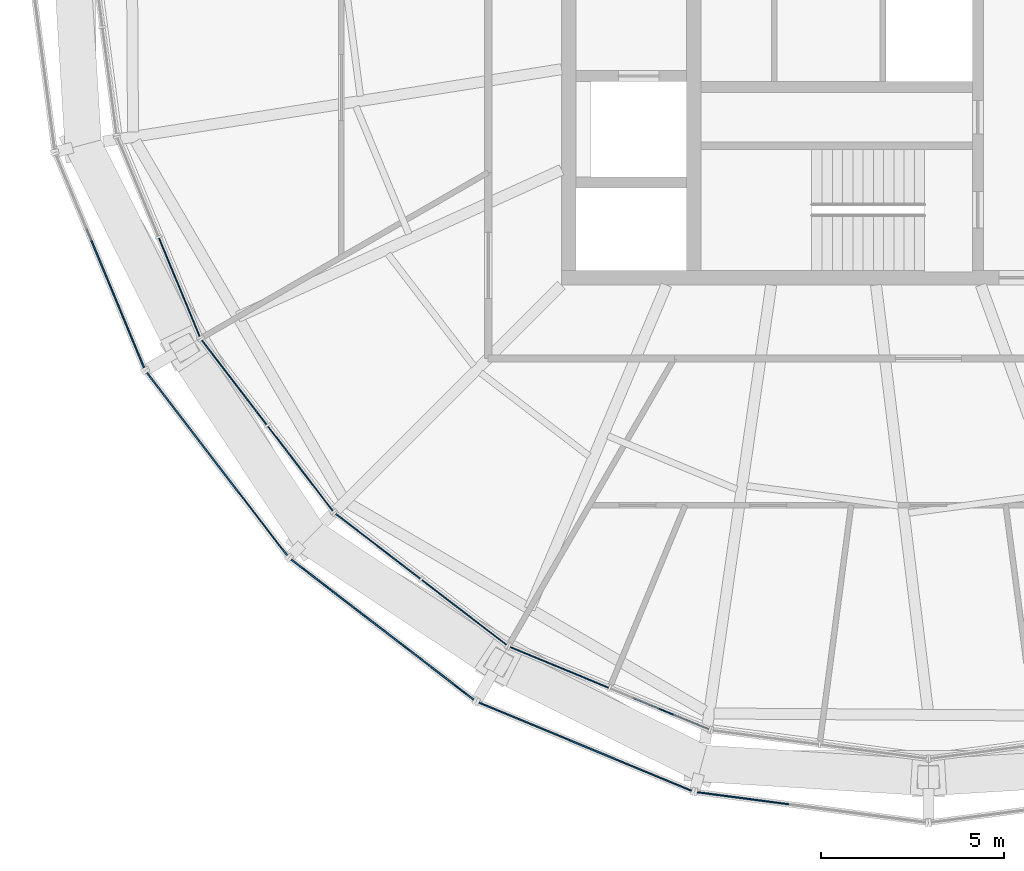
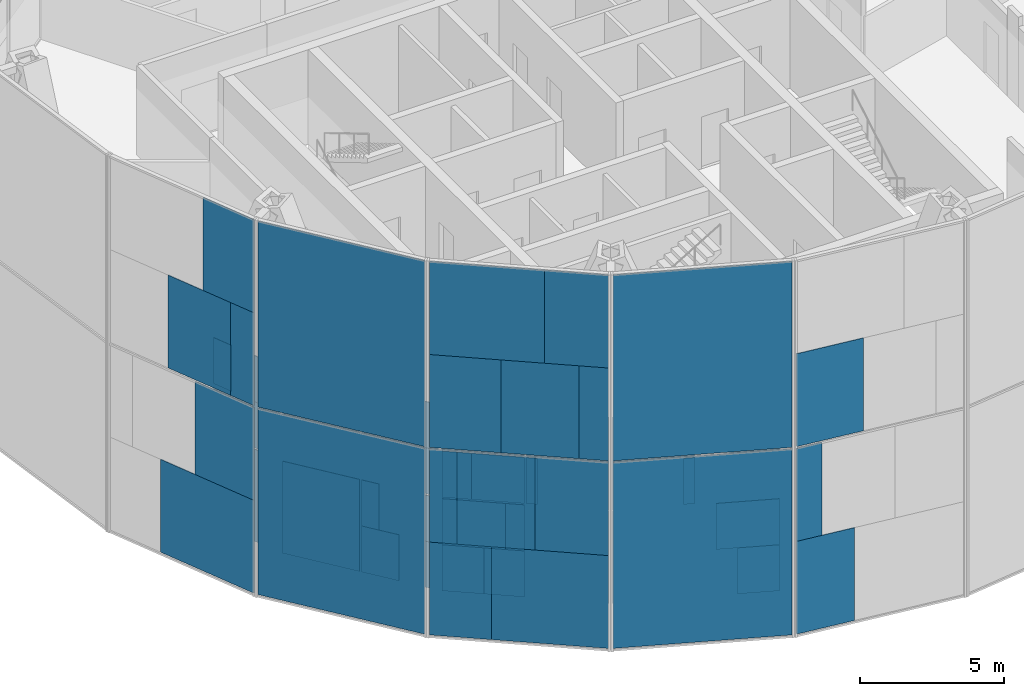
# One storey, part 10 of 23: 61 plates, 9 elements without a shape of their own.
"""IFC4 building model written with IfcOpenShell, lengths in metres."""

from ifc_helpers import new_model, si_unit, direction, frame, origin, origin_2d, place, context, subcontext, project, spatial, rectangle, extrude, material, layer, layer_set, type_object, element, aggregate, save


model = new_model("IFC4")

# Units and contexts
model_context = context("Model", 3, precision=1e-05, world=origin(), true_north=direction((0.0, 1.0)))
body_context = subcontext(model_context, "Body", "Model", "MODEL_VIEW")
ifc_project = project(units=[si_unit("LENGTHUNIT", "METRE"), si_unit("AREAUNIT", "SQUARE_METRE"), si_unit("VOLUMEUNIT", "CUBIC_METRE"), si_unit("PLANEANGLEUNIT", "RADIAN"), si_unit("MASSUNIT", "GRAM", prefix="KILO")], contexts=[model_context])

# Site, building, storey
site_placement = place(None, origin())
site = spatial("IfcSite", under=ifc_project, at=site_placement, CompositionType="ELEMENT")
building_placement = place(site_placement, origin())
building = spatial("IfcBuilding", under=site, at=building_placement, Name="Golbaran Civic Tower", CompositionType="ELEMENT")
storey_placement = place(building_placement, frame((0.0, 0.0, 232.0)))
storey = spatial("IfcBuildingStorey", under=building, at=storey_placement, Name="L56", CompositionType="ELEMENT", Elevation=232.0)

# Curtain wall, plates
ifc_material_1 = material(Name="Aluminium and glass", Category="aluminium")
curtain_wall_type_1 = type_object("IfcCurtainWallType", Name="INNER SKIN CURTAIN WALL EXECUTIVE", PredefinedType="NOTDEFINED", material=ifc_material_1)
curtain_wall_1_placement = place(storey_placement, origin())
curtain_wall_1 = element("IfcCurtainWall", 1, at=curtain_wall_1_placement, inside=storey, type_object=curtain_wall_type_1, Name="Inner skin L56 facet 14 CW2", ObjectType="INNER SKIN", PredefinedType="USERDEFINED")
ifc_material_2 = material(Name="Clear insulating glass", Category="glass")
ifc_layer_1 = layer(ifc_material_2, 0.031982421875, Name="Clear insulating glass")
ifc_layer_set_1 = layer_set([ifc_layer_1], Name="Clear insulating glass")
plate_type_1 = type_object("IfcPlateType", Name="INNER SKIN CURTAIN WALL EXECUTIVE GLAZED PANEL", PredefinedType="CURTAIN_PANEL", material=ifc_layer_set_1)
plate_1_placement = place(storey_placement, frame((-20.421142578125, -10.06103515625, 0.06005859375), z_axis=(0.0, 0.0, 1.0), x_axis=(0.382683432365, -0.923879532511, 0.0)))
plate_1 = element("IfcPlate", 2, at=plate_1_placement, type_object=plate_type_1, Name="CW2 panel 2.1", PredefinedType="CURTAIN_PANEL", context=body_context, shape_type="SweptSolid", body=[
    extrude(rectangle(XDim=2.900634765625, YDim=0.031982421875, at=origin_2d()), origin(), (0.0, 0.0, 1.0), 3.909912109375),
])
plate_2_placement = place(storey_placement, frame((-20.3447265625, -10.245849609375, 4.030029296875), z_axis=(0.0, 0.0, 1.0), x_axis=(0.382683432365, -0.923879532511, 0.0)))
plate_2 = element("IfcPlate", 3, at=plate_2_placement, type_object=plate_type_1, Name="CW2 panel 2.2 part 2", PredefinedType="CURTAIN_PANEL", context=body_context, shape_type="SweptSolid", body=[
    extrude(rectangle(XDim=2.500732421875, YDim=0.031982421875, at=origin_2d()), origin(), (0.0, 0.0, 1.0), 1.955078125),
])
plate_3_placement = place(storey_placement, frame((-20.267822265625, -10.431640625, 5.98486328125), z_axis=(0.0, 0.0, 1.0), x_axis=(0.382683432365, -0.923879532511, 0.0)))
plate_3 = element("IfcPlate", 4, at=plate_3_placement, type_object=plate_type_1, Name="CW2 panel 2.2 part 4", PredefinedType="CURTAIN_PANEL", context=body_context, shape_type="SweptSolid", body=[
    extrude(rectangle(XDim=2.0986328125, YDim=0.031982421875, at=origin_2d()), origin(), (0.0, 0.0, 1.0), 1.955078125),
])

curtain_wall_2_placement = place(storey_placement, origin())
curtain_wall_2 = element("IfcCurtainWall", 5, at=curtain_wall_2_placement, inside=storey, type_object=curtain_wall_type_1, Name="Inner skin L56 facet 15 CW2", ObjectType="INNER SKIN", PredefinedType="USERDEFINED")
plate_4_placement = place(storey_placement, frame((-18.923828125, -12.65478515625, 0.06005859375), z_axis=(0.0, 0.0, 1.0), x_axis=(0.608761429078, -0.793353340238, 0.0)))
plate_4 = element("IfcPlate", 6, at=plate_4_placement, type_object=plate_type_1, Name="CW2 panel 1.1", PredefinedType="CURTAIN_PANEL", context=body_context, shape_type="SweptSolid", body=[
    extrude(rectangle(XDim=2.900634765625, YDim=0.031982421875, at=origin_2d()), origin(), (0.0, 0.0, 1.0), 3.909912109375),
])
plate_5_placement = place(storey_placement, frame((-19.046142578125, -12.495361328125, 4.030029296875), z_axis=(0.0, 0.0, 1.0), x_axis=(0.608761429078, -0.793353340238, 0.0)))
plate_5 = element("IfcPlate", 7, at=plate_5_placement, type_object=plate_type_1, Name="CW2 panel 1.2 part 1", PredefinedType="CURTAIN_PANEL", context=body_context, shape_type="SweptSolid", body=[
    extrude(rectangle(XDim=2.4990234375, YDim=0.031982421875, at=origin_2d()), origin(), (0.0, 0.0, 1.0), 1.955078125),
])
plate_6_placement = place(storey_placement, frame((-19.168212890625, -12.33642578125, 5.98486328125), z_axis=(0.0, 0.0, 1.0), x_axis=(0.608761429078, -0.793353340238, 0.0)))
plate_6 = element("IfcPlate", 8, at=plate_6_placement, type_object=plate_type_1, Name="CW2 panel 1.2 part 3", PredefinedType="CURTAIN_PANEL", context=body_context, shape_type="SweptSolid", body=[
    extrude(rectangle(XDim=2.097900390625, YDim=0.031982421875, at=origin_2d()), origin(), (0.0, 0.0, 1.0), 1.955078125),
])
plate_7_placement = place(storey_placement, frame((-17.5712890625, -14.41748046875, 0.06005859375), z_axis=(0.0, 0.0, 1.0), x_axis=(0.608761429078, -0.793353340238, 0.0)))
plate_7 = element("IfcPlate", 9, at=plate_7_placement, type_object=plate_type_1, Name="CW2 panel 2.1 part 1", PredefinedType="CURTAIN_PANEL", context=body_context, shape_type="SweptSolid", body=[
    extrude(rectangle(XDim=1.423095703125, YDim=0.031982421875, at=origin_2d()), origin(), (0.0, 0.0, 1.0), 1.955078125),
])
plate_8_placement = place(storey_placement, frame((-17.80078125, -14.118408203125, 2.014892578125), z_axis=(0.0, 0.0, 1.0), x_axis=(0.608761429078, -0.793353340238, 0.0)))
plate_8 = element("IfcPlate", 10, at=plate_8_placement, type_object=plate_type_1, Name="CW2 panel 2.1 part 3", PredefinedType="CURTAIN_PANEL", context=body_context, shape_type="SweptSolid", body=[
    extrude(rectangle(XDim=0.6689453125, YDim=0.031982421875, at=origin_2d()), origin(), (0.0, 0.0, 1.0), 1.955078125),
])
plate_9_placement = place(storey_placement, frame((-16.5537109375, -15.743408203125, 4.030029296875), z_axis=(0.0, 0.0, 1.0), x_axis=(0.608761429078, -0.793353340238, 0.0)))
plate_9 = element("IfcPlate", 11, at=plate_9_placement, type_object=plate_type_1, Name="CW2 panel 2.2 part 2", PredefinedType="CURTAIN_PANEL", context=body_context, shape_type="SweptSolid", body=[
    extrude(rectangle(XDim=1.03564453125, YDim=0.031982421875, at=origin_2d()), origin(), (0.0, 0.0, 1.0), 1.955078125),
])
plate_10_placement = place(storey_placement, frame((-16.783203125, -15.4443359375, 5.98486328125), z_axis=(0.0, 0.0, 1.0), x_axis=(0.608761429078, -0.793353340238, 0.0)))
plate_10 = element("IfcPlate", 12, at=plate_10_placement, type_object=plate_type_1, Name="CW2 panel 2.2 part 4", PredefinedType="CURTAIN_PANEL", context=body_context, shape_type="SweptSolid", body=[
    extrude(rectangle(XDim=1.789794921875, YDim=0.031982421875, at=origin_2d()), origin(), (0.0, 0.0, 1.0), 1.955078125),
])

curtain_wall_3_placement = place(storey_placement, origin())
curtain_wall_3 = element("IfcCurtainWall", 13, at=curtain_wall_3_placement, inside=storey, type_object=curtain_wall_type_1, Name="Inner skin L56 facet 16 CW2", ObjectType="INNER SKIN", PredefinedType="USERDEFINED")
plate_11_placement = place(storey_placement, frame((-14.41748046875, -17.5712890625, 0.06005859375), z_axis=(0.0, 0.0, 1.0), x_axis=(0.793353340238, -0.608761429078, 0.0)))
plate_11 = element("IfcPlate", 14, at=plate_11_placement, type_object=plate_type_1, Name="CW2 panel 1.1 part 2", PredefinedType="CURTAIN_PANEL", context=body_context, shape_type="SweptSolid", body=[
    extrude(rectangle(XDim=1.4228515625, YDim=0.031982421875, at=origin_2d()), origin(), (0.0, 0.0, 1.0), 1.955078125),
])
plate_12_placement = place(storey_placement, frame((-14.118408203125, -17.80078125, 2.014892578125), z_axis=(0.0, 0.0, 1.0), x_axis=(0.793353340238, -0.608761429078, 0.0)))
plate_12 = element("IfcPlate", 15, at=plate_12_placement, type_object=plate_type_1, Name="CW2 panel 1.1 part 4", PredefinedType="CURTAIN_PANEL", context=body_context, shape_type="SweptSolid", body=[
    extrude(rectangle(XDim=0.668701171875, YDim=0.031982421875, at=origin_2d()), origin(), (0.0, 0.0, 1.0), 1.955078125),
])
plate_13_placement = place(storey_placement, frame((-15.743896484375, -16.553466796875, 4.030029296875), z_axis=(0.0, 0.0, 1.0), x_axis=(0.793353340238, -0.608761429078, 0.0)))
plate_13 = element("IfcPlate", 16, at=plate_13_placement, type_object=plate_type_1, Name="CW2 panel 1.2 part 1", PredefinedType="CURTAIN_PANEL", context=body_context, shape_type="SweptSolid", body=[
    extrude(rectangle(XDim=1.034912109375, YDim=0.031982421875, at=origin_2d()), origin(), (0.0, 0.0, 1.0), 1.955078125),
])
plate_14_placement = place(storey_placement, frame((-15.444580078125, -16.782958984375, 5.98486328125), z_axis=(0.0, 0.0, 1.0), x_axis=(0.793353340238, -0.608761429078, 0.0)))
plate_14 = element("IfcPlate", 17, at=plate_14_placement, type_object=plate_type_1, Name="CW2 panel 1.2 part 3", PredefinedType="CURTAIN_PANEL", context=body_context, shape_type="SweptSolid", body=[
    extrude(rectangle(XDim=1.7890625, YDim=0.031982421875, at=origin_2d()), origin(), (0.0, 0.0, 1.0), 1.955078125),
])
plate_15_placement = place(storey_placement, frame((-12.65478515625, -18.923828125, 0.06005859375), z_axis=(0.0, 0.0, 1.0), x_axis=(0.793353340238, -0.608761429078, 0.0)))
plate_15 = element("IfcPlate", 18, at=plate_15_placement, type_object=plate_type_1, Name="CW2 panel 2.1", PredefinedType="CURTAIN_PANEL", context=body_context, shape_type="SweptSolid", body=[
    extrude(rectangle(XDim=2.900634765625, YDim=0.031982421875, at=origin_2d()), origin(), (0.0, 0.0, 1.0), 3.909912109375),
])
plate_16_placement = place(storey_placement, frame((-12.49609375, -19.045654296875, 4.030029296875), z_axis=(0.0, 0.0, 1.0), x_axis=(0.793353340238, -0.608761429078, 0.0)))
plate_16 = element("IfcPlate", 19, at=plate_16_placement, type_object=plate_type_1, Name="CW2 panel 2.2 part 2", PredefinedType="CURTAIN_PANEL", context=body_context, shape_type="SweptSolid", body=[
    extrude(rectangle(XDim=2.500732421875, YDim=0.031982421875, at=origin_2d()), origin(), (0.0, 0.0, 1.0), 1.955078125),
])
plate_17_placement = place(storey_placement, frame((-12.336669921875, -19.16796875, 5.98486328125), z_axis=(0.0, 0.0, 1.0), x_axis=(0.793353340238, -0.608761429078, 0.0)))
plate_17 = element("IfcPlate", 20, at=plate_17_placement, type_object=plate_type_1, Name="CW2 panel 2.2 part 4", PredefinedType="CURTAIN_PANEL", context=body_context, shape_type="SweptSolid", body=[
    extrude(rectangle(XDim=2.0986328125, YDim=0.031982421875, at=origin_2d()), origin(), (0.0, 0.0, 1.0), 1.955078125),
])

curtain_wall_4_placement = place(storey_placement, origin())
curtain_wall_4 = element("IfcCurtainWall", 21, at=curtain_wall_4_placement, inside=storey, type_object=curtain_wall_type_1, Name="Inner skin L56 facet 17 CW2", ObjectType="INNER SKIN", PredefinedType="USERDEFINED")
plate_18_placement = place(storey_placement, frame((-10.06103515625, -20.421142578125, 0.06005859375), z_axis=(0.0, 0.0, 1.0), x_axis=(0.923879532511, -0.382683432365, 0.0)))
plate_18 = element("IfcPlate", 22, at=plate_18_placement, type_object=plate_type_1, Name="CW2 panel 1.1", PredefinedType="CURTAIN_PANEL", context=body_context, shape_type="SweptSolid", body=[
    extrude(rectangle(XDim=2.900634765625, YDim=0.031982421875, at=origin_2d()), origin(), (0.0, 0.0, 1.0), 3.909912109375),
])
plate_19_placement = place(storey_placement, frame((-10.24658203125, -20.344482421875, 4.030029296875), z_axis=(0.0, 0.0, 1.0), x_axis=(0.923879532511, -0.382683432365, 0.0)))
plate_19 = element("IfcPlate", 23, at=plate_19_placement, type_object=plate_type_1, Name="CW2 panel 1.2 part 1", PredefinedType="CURTAIN_PANEL", context=body_context, shape_type="SweptSolid", body=[
    extrude(rectangle(XDim=2.4990234375, YDim=0.031982421875, at=origin_2d()), origin(), (0.0, 0.0, 1.0), 1.955078125),
])
plate_20_placement = place(storey_placement, frame((-10.431884765625, -20.267578125, 5.98486328125), z_axis=(0.0, 0.0, 1.0), x_axis=(0.923879532511, -0.382683432365, 0.0)))
plate_20 = element("IfcPlate", 24, at=plate_20_placement, type_object=plate_type_1, Name="CW2 panel 1.2 part 3", PredefinedType="CURTAIN_PANEL", context=body_context, shape_type="SweptSolid", body=[
    extrude(rectangle(XDim=2.097900390625, YDim=0.031982421875, at=origin_2d()), origin(), (0.0, 0.0, 1.0), 1.955078125),
])
plate_21_placement = place(storey_placement, frame((-6.8125, -21.766845703125, 5.98486328125), z_axis=(0.0, 0.0, 1.0), x_axis=(0.923879532511, -0.382683432365, 0.0)))
plate_21 = element("IfcPlate", 25, at=plate_21_placement, type_object=plate_type_1, Name="CW2 panel 2.2 part 4", PredefinedType="CURTAIN_PANEL", context=body_context, shape_type="SweptSolid", body=[
    extrude(rectangle(XDim=1.789794921875, YDim=0.031982421875, at=origin_2d()), origin(), (0.0, 0.0, 1.0), 1.955078125),
])

# Plate
ifc_material_3 = material(Name="Aluminium faced opaque infill panel", Category="aluminium")
ifc_layer_2 = layer(ifc_material_3, 0.031982421875, Name="Aluminium faced opaque infill panel")
ifc_layer_set_2 = layer_set([ifc_layer_2], Name="Aluminium faced opaque infill panel")
plate_type_2 = type_object("IfcPlateType", Name="INNER SKIN CURTAIN WALL EXECUTIVE OPAQUE INFILL PANEL", PredefinedType="CURTAIN_PANEL", material=ifc_layer_set_2)
plate_22_placement = place(storey_placement, frame((-20.899658203125, -8.906005859375, 4.030029296875), z_axis=(0.0, 0.0, 1.0), x_axis=(0.382683432365, -0.923879532511, 0.0)))
plate_22 = element("IfcPlate", 26, at=plate_22_placement, type_object=plate_type_2, Name="CW2 infill panel 2.2 part 1", PredefinedType="CURTAIN_PANEL", context=body_context, shape_type="SweptSolid", body=[
    extrude(rectangle(XDim=0.39990234375, YDim=0.031982421875, at=origin_2d()), origin(), (0.0, 0.0, 1.0), 1.955078125),
])

plate_23_placement = place(storey_placement, frame((-20.82275390625, -9.091552734375, 5.98486328125), z_axis=(0.0, 0.0, 1.0), x_axis=(0.382683432365, -0.923879532511, 0.0)))
plate_23 = element("IfcPlate", 27, at=plate_23_placement, type_object=plate_type_2, Name="CW2 infill panel 2.2 part 3", PredefinedType="CURTAIN_PANEL", context=body_context, shape_type="SweptSolid", body=[
    extrude(rectangle(XDim=0.802001953125, YDim=0.031982421875, at=origin_2d()), origin(), (0.0, 0.0, 1.0), 1.955078125),
])

aggregate(curtain_wall_1, [plate_1, plate_22, plate_2, plate_23, plate_3])

plate_24_placement = place(storey_placement, frame((-18.1630859375, -13.64599609375, 4.030029296875), z_axis=(0.0, 0.0, 1.0), x_axis=(0.608761429078, -0.793353340238, 0.0)))
plate_24 = element("IfcPlate", 28, at=plate_24_placement, type_object=plate_type_2, Name="CW2 infill panel 1.2 part 2", PredefinedType="CURTAIN_PANEL", context=body_context, shape_type="SweptSolid", body=[
    extrude(rectangle(XDim=0.40185546875, YDim=0.031982421875, at=origin_2d()), origin(), (0.0, 0.0, 1.0), 1.955078125),
])

plate_25_placement = place(storey_placement, frame((-18.28515625, -13.487060546875, 5.98486328125), z_axis=(0.0, 0.0, 1.0), x_axis=(0.608761429078, -0.793353340238, 0.0)))
plate_25 = element("IfcPlate", 29, at=plate_25_placement, type_object=plate_type_2, Name="CW2 infill panel 1.2 part 4", PredefinedType="CURTAIN_PANEL", context=body_context, shape_type="SweptSolid", body=[
    extrude(rectangle(XDim=0.802734375, YDim=0.031982421875, at=origin_2d()), origin(), (0.0, 0.0, 1.0), 1.955078125),
])

plate_26_placement = place(storey_placement, frame((-16.688232421875, -15.568115234375, 0.06005859375), z_axis=(0.0, 0.0, 1.0), x_axis=(0.608761429078, -0.793353340238, 0.0)))
plate_26 = element("IfcPlate", 30, at=plate_26_placement, type_object=plate_type_2, Name="CW2 infill panel 2.1 part 2", PredefinedType="CURTAIN_PANEL", context=body_context, shape_type="SweptSolid", body=[
    extrude(rectangle(XDim=1.477783203125, YDim=0.031982421875, at=origin_2d()), origin(), (0.0, 0.0, 1.0), 1.955078125),
])

plate_27_placement = place(storey_placement, frame((-16.917724609375, -15.26904296875, 2.014892578125), z_axis=(0.0, 0.0, 1.0), x_axis=(0.608761429078, -0.793353340238, 0.0)))
plate_27 = element("IfcPlate", 31, at=plate_27_placement, type_object=plate_type_2, Name="CW2 infill panel 2.1 part 4", PredefinedType="CURTAIN_PANEL", context=body_context, shape_type="SweptSolid", body=[
    extrude(rectangle(XDim=2.231689453125, YDim=0.031982421875, at=origin_2d()), origin(), (0.0, 0.0, 1.0), 1.955078125),
])

plate_28_placement = place(storey_placement, frame((-17.436767578125, -14.5927734375, 4.030029296875), z_axis=(0.0, 0.0, 1.0), x_axis=(0.608761429078, -0.793353340238, 0.0)))
plate_28 = element("IfcPlate", 32, at=plate_28_placement, type_object=plate_type_2, Name="CW2 infill panel 2.2 part 1", PredefinedType="CURTAIN_PANEL", context=body_context, shape_type="SweptSolid", body=[
    extrude(rectangle(XDim=1.864990234375, YDim=0.031982421875, at=origin_2d()), origin(), (0.0, 0.0, 1.0), 1.955078125),
])

plate_29_placement = place(storey_placement, frame((-17.666259765625, -14.293701171875, 5.98486328125), z_axis=(0.0, 0.0, 1.0), x_axis=(0.608761429078, -0.793353340238, 0.0)))
plate_29 = element("IfcPlate", 33, at=plate_29_placement, type_object=plate_type_2, Name="CW2 infill panel 2.2 part 3", PredefinedType="CURTAIN_PANEL", context=body_context, shape_type="SweptSolid", body=[
    extrude(rectangle(XDim=1.111083984375, YDim=0.031982421875, at=origin_2d()), origin(), (0.0, 0.0, 1.0), 1.955078125),
])

aggregate(curtain_wall_2, [plate_4, plate_5, plate_24, plate_6, plate_25, plate_7, plate_26, plate_8, plate_27, plate_28, plate_9, plate_29, plate_10])

plate_30_placement = place(storey_placement, frame((-15.568115234375, -16.688232421875, 0.06005859375), z_axis=(0.0, 0.0, 1.0), x_axis=(0.793353340238, -0.608761429078, 0.0)))
plate_30 = element("IfcPlate", 34, at=plate_30_placement, type_object=plate_type_2, Name="CW2 infill panel 1.1 part 1", PredefinedType="CURTAIN_PANEL", context=body_context, shape_type="SweptSolid", body=[
    extrude(rectangle(XDim=1.47802734375, YDim=0.031982421875, at=origin_2d()), origin(), (0.0, 0.0, 1.0), 1.955078125),
])

plate_31_placement = place(storey_placement, frame((-15.26904296875, -16.917724609375, 2.014892578125), z_axis=(0.0, 0.0, 1.0), x_axis=(0.793353340238, -0.608761429078, 0.0)))
plate_31 = element("IfcPlate", 35, at=plate_31_placement, type_object=plate_type_2, Name="CW2 infill panel 1.1 part 3", PredefinedType="CURTAIN_PANEL", context=body_context, shape_type="SweptSolid", body=[
    extrude(rectangle(XDim=2.23193359375, YDim=0.031982421875, at=origin_2d()), origin(), (0.0, 0.0, 1.0), 1.955078125),
])

plate_32_placement = place(storey_placement, frame((-14.593017578125, -17.4365234375, 4.030029296875), z_axis=(0.0, 0.0, 1.0), x_axis=(0.793353340238, -0.608761429078, 0.0)))
plate_32 = element("IfcPlate", 36, at=plate_32_placement, type_object=plate_type_2, Name="CW2 infill panel 1.2 part 2", PredefinedType="CURTAIN_PANEL", context=body_context, shape_type="SweptSolid", body=[
    extrude(rectangle(XDim=1.86572265625, YDim=0.031982421875, at=origin_2d()), origin(), (0.0, 0.0, 1.0), 1.955078125),
])

plate_33_placement = place(storey_placement, frame((-14.2939453125, -17.666015625, 5.98486328125), z_axis=(0.0, 0.0, 1.0), x_axis=(0.793353340238, -0.608761429078, 0.0)))
plate_33 = element("IfcPlate", 37, at=plate_33_placement, type_object=plate_type_2, Name="CW2 infill panel 1.2 part 4", PredefinedType="CURTAIN_PANEL", context=body_context, shape_type="SweptSolid", body=[
    extrude(rectangle(XDim=1.11181640625, YDim=0.031982421875, at=origin_2d()), origin(), (0.0, 0.0, 1.0), 1.955078125),
])

plate_34_placement = place(storey_placement, frame((-13.646728515625, -18.16259765625, 4.030029296875), z_axis=(0.0, 0.0, 1.0), x_axis=(0.793353340238, -0.608761429078, 0.0)))
plate_34 = element("IfcPlate", 38, at=plate_34_placement, type_object=plate_type_2, Name="CW2 infill panel 2.2 part 1", PredefinedType="CURTAIN_PANEL", context=body_context, shape_type="SweptSolid", body=[
    extrude(rectangle(XDim=0.39990234375, YDim=0.031982421875, at=origin_2d()), origin(), (0.0, 0.0, 1.0), 1.955078125),
])

plate_35_placement = place(storey_placement, frame((-13.4873046875, -18.284912109375, 5.98486328125), z_axis=(0.0, 0.0, 1.0), x_axis=(0.793353340238, -0.608761429078, 0.0)))
plate_35 = element("IfcPlate", 39, at=plate_35_placement, type_object=plate_type_2, Name="CW2 infill panel 2.2 part 3", PredefinedType="CURTAIN_PANEL", context=body_context, shape_type="SweptSolid", body=[
    extrude(rectangle(XDim=0.802001953125, YDim=0.031982421875, at=origin_2d()), origin(), (0.0, 0.0, 1.0), 1.955078125),
])

aggregate(curtain_wall_3, [plate_30, plate_11, plate_31, plate_12, plate_13, plate_32, plate_14, plate_33, plate_15, plate_34, plate_16, plate_35, plate_17])

plate_36_placement = place(storey_placement, frame((-8.90673828125, -20.8994140625, 4.030029296875), z_axis=(0.0, 0.0, 1.0), x_axis=(0.923879532511, -0.382683432365, 0.0)))
plate_36 = element("IfcPlate", 40, at=plate_36_placement, type_object=plate_type_2, Name="CW2 infill panel 1.2 part 2", PredefinedType="CURTAIN_PANEL", context=body_context, shape_type="SweptSolid", body=[
    extrude(rectangle(XDim=0.40185546875, YDim=0.031982421875, at=origin_2d()), origin(), (0.0, 0.0, 1.0), 1.955078125),
])

plate_37_placement = place(storey_placement, frame((-9.092041015625, -20.82275390625, 5.98486328125), z_axis=(0.0, 0.0, 1.0), x_axis=(0.923879532511, -0.382683432365, 0.0)))
plate_37 = element("IfcPlate", 41, at=plate_37_placement, type_object=plate_type_2, Name="CW2 infill panel 1.2 part 4", PredefinedType="CURTAIN_PANEL", context=body_context, shape_type="SweptSolid", body=[
    extrude(rectangle(XDim=0.802734375, YDim=0.031982421875, at=origin_2d()), origin(), (0.0, 0.0, 1.0), 1.955078125),
])

plate_38_placement = place(storey_placement, frame((-6.66845703125, -21.82666015625, 0.06005859375), z_axis=(0.0, 0.0, 1.0), x_axis=(0.923879532511, -0.382683432365, 0.0)))
plate_38 = element("IfcPlate", 42, at=plate_38_placement, type_object=plate_type_2, Name="CW2 infill panel 2.1 part 2", PredefinedType="CURTAIN_PANEL", context=body_context, shape_type="SweptSolid", body=[
    extrude(rectangle(XDim=1.477783203125, YDim=0.031982421875, at=origin_2d()), origin(), (0.0, 0.0, 1.0), 1.955078125),
])

plate_39_placement = place(storey_placement, frame((-7.0166015625, -21.682373046875, 2.014892578125), z_axis=(0.0, 0.0, 1.0), x_axis=(0.923879532511, -0.382683432365, 0.0)))
plate_39 = element("IfcPlate", 43, at=plate_39_placement, type_object=plate_type_2, Name="CW2 infill panel 2.1 part 4", PredefinedType="CURTAIN_PANEL", context=body_context, shape_type="SweptSolid", body=[
    extrude(rectangle(XDim=2.231689453125, YDim=0.031982421875, at=origin_2d()), origin(), (0.0, 0.0, 1.0), 1.955078125),
])

aggregate(curtain_wall_4, [plate_18, plate_19, plate_36, plate_20, plate_37, plate_38, plate_39, plate_21])

# Curtain wall, plates
curtain_wall_type_2 = type_object("IfcCurtainWallType", Name="OUTER SKIN TERRACOTTA SCREEN", PredefinedType="NOTDEFINED", material=ifc_material_1)
curtain_wall_5_placement = place(storey_placement, origin())
curtain_wall_5 = element("IfcCurtainWall", 44, at=curtain_wall_5_placement, inside=storey, type_object=curtain_wall_type_2, Name="Outer skin L56 facet 14 CW3", ObjectType="OUTER SKIN", PredefinedType="USERDEFINED")
ifc_material_4 = material(Name="Clear laminated glass", Category="glass")
ifc_layer_3 = layer(ifc_material_4, 0.0400390625, Name="Clear laminated glass")
ifc_layer_set_3 = layer_set([ifc_layer_3], Name="Clear laminated glass")
plate_type_3 = type_object("IfcPlateType", Name="OUTER SKIN CLEAR GLASS PANEL", PredefinedType="CURTAIN_PANEL", material=ifc_layer_set_3)
plate_40_placement = place(storey_placement, frame((-22.165283203125, -10.36376953125, -0.6298828125), z_axis=(0.0, 0.0, 1.0), x_axis=(0.382683432381, -0.923879532505, 0.0)))
plate_40 = element("IfcPlate", 45, at=plate_40_placement, type_object=plate_type_3, Name="CW3 panel 1.1 part 2", PredefinedType="CURTAIN_PANEL", context=body_context, shape_type="SweptSolid", body=[
    extrude(rectangle(XDim=4.09130859375, YDim=0.0400390625, at=origin_2d()), origin(), (0.0, 0.0, 1.0), 3.93994140625),
])
plate_41_placement = place(storey_placement, frame((-21.874755859375, -11.0654296875, 3.31005859375), z_axis=(0.0, 0.0, 1.0), x_axis=(0.382683432381, -0.923879532505, 0.0)))
plate_41 = element("IfcPlate", 46, at=plate_41_placement, type_object=plate_type_3, Name="CW3 panel 1.1 part 5", PredefinedType="CURTAIN_PANEL", context=body_context, shape_type="SweptSolid", body=[
    extrude(rectangle(XDim=2.572265625, YDim=0.0400390625, at=origin_2d()), origin(), (0.0, 0.0, 1.0), 3.93994140625),
])
plate_42_placement = place(storey_placement, frame((-21.577880859375, -11.78173828125, 7.330078125), z_axis=(0.0, 0.0, 1.0), x_axis=(0.382683432381, -0.923879532505, 0.0)))
plate_42 = element("IfcPlate", 47, at=plate_42_placement, type_object=plate_type_3, Name="CW3 panel 1.2 part 3", PredefinedType="CURTAIN_PANEL", context=body_context, shape_type="SweptSolid", body=[
    extrude(rectangle(XDim=1.021240234375, YDim=0.0400390625, at=origin_2d()), origin(), (0.0, 0.0, 1.0), 3.93994140625),
])

curtain_wall_6_placement = place(storey_placement, origin())
curtain_wall_6 = element("IfcCurtainWall", 48, at=curtain_wall_6_placement, inside=storey, type_object=curtain_wall_type_2, Name="Outer skin L56 facet 16 CW3", ObjectType="OUTER SKIN", PredefinedType="USERDEFINED")
plate_43_placement = place(storey_placement, frame((-14.013916015625, -20.057861328125, -0.6298828125), z_axis=(0.0, 0.0, 1.0), x_axis=(0.793353340291, -0.608761429009, 0.0)))
plate_43 = element("IfcPlate", 49, at=plate_43_placement, type_object=plate_type_3, Name="CW3 panel 1.1 part 2", PredefinedType="CURTAIN_PANEL", context=body_context, shape_type="SweptSolid", body=[
    extrude(rectangle(XDim=4.09130859375, YDim=0.0400390625, at=origin_2d()), origin(), (0.0, 0.0, 1.0), 3.93994140625),
])
plate_44_placement = place(storey_placement, frame((-16.987548828125, -17.776123046875, 3.31005859375), z_axis=(0.0, 0.0, 1.0), x_axis=(0.793353340291, -0.608761429009, 0.0)))
plate_44 = element("IfcPlate", 50, at=plate_44_placement, type_object=plate_type_3, Name="CW3 panel 1.1 part 3", PredefinedType="CURTAIN_PANEL", context=body_context, shape_type="SweptSolid", body=[
    extrude(rectangle(XDim=0.965087890625, YDim=0.0400390625, at=origin_2d()), origin(), (0.0, 0.0, 1.0), 3.93994140625),
])
plate_45_placement = place(storey_placement, frame((-13.411376953125, -20.520263671875, 3.31005859375), z_axis=(0.0, 0.0, 1.0), x_axis=(0.793353340291, -0.608761429009, 0.0)))
plate_45 = element("IfcPlate", 51, at=plate_45_placement, type_object=plate_type_3, Name="CW3 panel 1.1 part 5", PredefinedType="CURTAIN_PANEL", context=body_context, shape_type="SweptSolid", body=[
    extrude(rectangle(XDim=2.572265625, YDim=0.0400390625, at=origin_2d()), origin(), (0.0, 0.0, 1.0), 3.93994140625),
])
plate_46_placement = place(storey_placement, frame((-16.37255859375, -18.248046875, 7.330078125), z_axis=(0.0, 0.0, 1.0), x_axis=(0.793353340291, -0.608761429009, 0.0)))
plate_46 = element("IfcPlate", 52, at=plate_46_placement, type_object=plate_type_3, Name="CW3 panel 1.2 part 1", PredefinedType="CURTAIN_PANEL", context=body_context, shape_type="SweptSolid", body=[
    extrude(rectangle(XDim=2.514892578125, YDim=0.0400390625, at=origin_2d()), origin(), (0.0, 0.0, 1.0), 3.93994140625),
])
plate_47_placement = place(storey_placement, frame((-12.796142578125, -20.9921875, 7.330078125), z_axis=(0.0, 0.0, 1.0), x_axis=(0.793353340291, -0.608761429009, 0.0)))
plate_47 = element("IfcPlate", 53, at=plate_47_placement, type_object=plate_type_3, Name="CW3 panel 1.2 part 3", PredefinedType="CURTAIN_PANEL", context=body_context, shape_type="SweptSolid", body=[
    extrude(rectangle(XDim=1.021240234375, YDim=0.0400390625, at=origin_2d()), origin(), (0.0, 0.0, 1.0), 3.93994140625),
])
plate_48_placement = place(storey_placement, frame((-15.767578125, -18.712158203125, 11.27001953125), z_axis=(0.0, 0.0, 1.0), x_axis=(0.793353340291, -0.608761429009, 0.0)))
plate_48 = element("IfcPlate", 54, at=plate_48_placement, type_object=plate_type_3, Name="CW3 panel 1.2 part 4", PredefinedType="CURTAIN_PANEL", context=body_context, shape_type="SweptSolid", body=[
    extrude(rectangle(XDim=4.0400390625, YDim=0.0400390625, at=origin_2d()), origin(), (0.0, 0.0, 1.0), 3.93994140625),
])

curtain_wall_7_placement = place(storey_placement, origin())
curtain_wall_7 = element("IfcCurtainWall", 55, at=curtain_wall_7_placement, inside=storey, type_object=curtain_wall_type_2, Name="Outer skin L56 facet 18 CW3", ObjectType="OUTER SKIN", PredefinedType="USERDEFINED")
plate_49_placement = place(storey_placement, frame((-5.823486328125, -23.888427734375, 3.31005859375), z_axis=(0.0, 0.0, 1.0), x_axis=(0.991444861372, -0.130526192237, 0.0)))
plate_49 = element("IfcPlate", 56, at=plate_49_placement, type_object=plate_type_3, Name="CW3 panel 1.1 part 3", PredefinedType="CURTAIN_PANEL", context=body_context, shape_type="SweptSolid", body=[
    extrude(rectangle(XDim=0.965087890625, YDim=0.0400390625, at=origin_2d()), origin(), (0.0, 0.0, 1.0), 3.93994140625),
])
plate_50_placement = place(storey_placement, frame((-5.05517578125, -23.989501953125, 7.330078125), z_axis=(0.0, 0.0, 1.0), x_axis=(0.991444861372, -0.130526192237, 0.0)))
plate_50 = element("IfcPlate", 57, at=plate_50_placement, type_object=plate_type_3, Name="CW3 panel 1.2 part 1", PredefinedType="CURTAIN_PANEL", context=body_context, shape_type="SweptSolid", body=[
    extrude(rectangle(XDim=2.514892578125, YDim=0.0400390625, at=origin_2d()), origin(), (0.0, 0.0, 1.0), 3.93994140625),
])

# Plate
ifc_material_5 = material(Name="Terracotta baguette screen", Category="masonry")
ifc_layer_4 = layer(ifc_material_5, 0.0400390625, Name="Terracotta baguette screen")
ifc_layer_set_4 = layer_set([ifc_layer_4], Name="Terracotta baguette screen")
plate_type_4 = type_object("IfcPlateType", Name="OUTER SKIN TERRACOTTA INFILL PANEL", PredefinedType="CURTAIN_PANEL", material=ifc_layer_set_4)
plate_51_placement = place(storey_placement, frame((-22.297607421875, -10.04443359375, 7.330078125), z_axis=(0.0, 0.0, 1.0), x_axis=(0.382683432381, -0.923879532505, 0.0)))
plate_51 = element("IfcPlate", 58, at=plate_51_placement, type_object=plate_type_4, Name="CW3 infill panel 1.2 part 2", PredefinedType="CURTAIN_PANEL", context=body_context, shape_type="SweptSolid", body=[
    extrude(rectangle(XDim=2.739990234375, YDim=0.0400390625, at=origin_2d()), origin(), (0.0, 0.0, 1.0), 3.93994140625),
])

plate_52_placement = place(storey_placement, frame((-21.810302734375, -11.220458984375, 11.27001953125), z_axis=(0.0, 0.0, 1.0), x_axis=(0.382683432381, -0.923879532505, 0.0)))
plate_52 = element("IfcPlate", 59, at=plate_52_placement, type_object=plate_type_4, Name="CW3 infill panel 1.2 part 5", PredefinedType="CURTAIN_PANEL", context=body_context, shape_type="SweptSolid", body=[
    extrude(rectangle(XDim=2.236328125, YDim=0.0400390625, at=origin_2d()), origin(), (0.0, 0.0, 1.0), 3.93994140625),
])

aggregate(curtain_wall_5, [plate_40, plate_41, plate_51, plate_42, plate_52])

plate_53_placement = place(storey_placement, frame((-16.50341796875, -18.1474609375, -0.6298828125), z_axis=(0.0, 0.0, 1.0), x_axis=(0.793353340291, -0.608761429009, 0.0)))
plate_53 = element("IfcPlate", 60, at=plate_53_placement, type_object=plate_type_4, Name="CW3 infill panel 1.1 part 1", PredefinedType="CURTAIN_PANEL", context=body_context, shape_type="SweptSolid", body=[
    extrude(rectangle(XDim=2.18505859375, YDim=0.0400390625, at=origin_2d()), origin(), (0.0, 0.0, 1.0), 3.93994140625),
])

plate_54_placement = place(storey_placement, frame((-15.51806640625, -18.903564453125, 3.31005859375), z_axis=(0.0, 0.0, 1.0), x_axis=(0.793353340291, -0.608761429009, 0.0)))
plate_54 = element("IfcPlate", 61, at=plate_54_placement, type_object=plate_type_4, Name="CW3 infill panel 1.1 part 4", PredefinedType="CURTAIN_PANEL", context=body_context, shape_type="SweptSolid", body=[
    extrude(rectangle(XDim=2.739013671875, YDim=0.0400390625, at=origin_2d()), origin(), (0.0, 0.0, 1.0), 3.93994140625),
])

plate_55_placement = place(storey_placement, frame((-14.2880859375, -19.847412109375, 7.330078125), z_axis=(0.0, 0.0, 1.0), x_axis=(0.793353340291, -0.608761429009, 0.0)))
plate_55 = element("IfcPlate", 62, at=plate_55_placement, type_object=plate_type_4, Name="CW3 infill panel 1.2 part 2", PredefinedType="CURTAIN_PANEL", context=body_context, shape_type="SweptSolid", body=[
    extrude(rectangle(XDim=2.739990234375, YDim=0.0400390625, at=origin_2d()), origin(), (0.0, 0.0, 1.0), 3.93994140625),
])

plate_56_placement = place(storey_placement, frame((-13.278076171875, -20.62255859375, 11.27001953125), z_axis=(0.0, 0.0, 1.0), x_axis=(0.793353340291, -0.608761429009, 0.0)))
plate_56 = element("IfcPlate", 63, at=plate_56_placement, type_object=plate_type_4, Name="CW3 infill panel 1.2 part 5", PredefinedType="CURTAIN_PANEL", context=body_context, shape_type="SweptSolid", body=[
    extrude(rectangle(XDim=2.236328125, YDim=0.0400390625, at=origin_2d()), origin(), (0.0, 0.0, 1.0), 3.93994140625),
])

aggregate(curtain_wall_6, [plate_53, plate_43, plate_44, plate_54, plate_45, plate_46, plate_55, plate_47, plate_48, plate_56])

plate_57_placement = place(storey_placement, frame((-5.21875, -23.968017578125, -0.6298828125), z_axis=(0.0, 0.0, 1.0), x_axis=(0.991444861372, -0.130526192237, 0.0)))
plate_57 = element("IfcPlate", 64, at=plate_57_placement, type_object=plate_type_4, Name="CW3 infill panel 1.1 part 1", PredefinedType="CURTAIN_PANEL", context=body_context, shape_type="SweptSolid", body=[
    extrude(rectangle(XDim=2.18505859375, YDim=0.0400390625, at=origin_2d()), origin(), (0.0, 0.0, 1.0), 3.93994140625),
])

aggregate(curtain_wall_7, [plate_57, plate_49, plate_50])

# Curtain wall, plates
curtain_wall_8_placement = place(storey_placement, origin())
curtain_wall_8 = element("IfcCurtainWall", 65, at=curtain_wall_8_placement, inside=storey, type_object=curtain_wall_type_2, Name="Outer skin L56 facet 15 CW3", ObjectType="OUTER SKIN", PredefinedType="USERDEFINED")
ifc_layer_5 = layer(ifc_material_5, 0.0400390625, Name="Terracotta baguette screen")
ifc_layer_set_5 = layer_set([ifc_layer_5], Name="Terracotta baguette screen")
plate_type_5 = type_object("IfcPlateType", Name="OUTER SKIN TERRACOTTA SCREEN PANEL", PredefinedType="CURTAIN_PANEL", material=ifc_layer_set_5)
plate_58_placement = place(storey_placement, frame((-19.392822265625, -14.880615234375, -0.6298828125), z_axis=(0.0, 0.0, 1.0), x_axis=(0.608761429009, -0.793353340291, 0.0)))
plate_58 = element("IfcPlate", 66, at=plate_58_placement, type_object=plate_type_5, Name="CW3 terracotta screen panel 1.1", PredefinedType="CURTAIN_PANEL", context=body_context, shape_type="SweptSolid", body=[
    extrude(rectangle(XDim=6.2763671875, YDim=0.0400390625, at=origin_2d()), origin(), (0.0, 0.0, 1.0), 7.8798828125),
])
plate_59_placement = place(storey_placement, frame((-19.392822265625, -14.880615234375, 7.330078125), z_axis=(0.0, 0.0, 1.0), x_axis=(0.608761429009, -0.793353340291, 0.0)))
plate_59 = element("IfcPlate", 67, at=plate_59_placement, type_object=plate_type_5, Name="CW3 terracotta screen panel 1.2", PredefinedType="CURTAIN_PANEL", context=body_context, shape_type="SweptSolid", body=[
    extrude(rectangle(XDim=6.2763671875, YDim=0.0400390625, at=origin_2d()), origin(), (0.0, 0.0, 1.0), 7.8798828125),
])
aggregate(curtain_wall_8, [plate_58, plate_59])

curtain_wall_9_placement = place(storey_placement, origin())
curtain_wall_9 = element("IfcCurtainWall", 68, at=curtain_wall_9_placement, inside=storey, type_object=curtain_wall_type_2, Name="Outer skin L56 facet 17 CW3", ObjectType="OUTER SKIN", PredefinedType="USERDEFINED")
plate_60_placement = place(storey_placement, frame((-9.354248046875, -22.58349609375, -0.6298828125), z_axis=(0.0, 0.0, 1.0), x_axis=(0.923879532505, -0.382683432381, 0.0)))
plate_60 = element("IfcPlate", 69, at=plate_60_placement, type_object=plate_type_5, Name="CW3 terracotta screen panel 1.1", PredefinedType="CURTAIN_PANEL", context=body_context, shape_type="SweptSolid", body=[
    extrude(rectangle(XDim=6.2763671875, YDim=0.0400390625, at=origin_2d()), origin(), (0.0, 0.0, 1.0), 7.8798828125),
])
plate_61_placement = place(storey_placement, frame((-9.354248046875, -22.58349609375, 7.330078125), z_axis=(0.0, 0.0, 1.0), x_axis=(0.923879532505, -0.382683432381, 0.0)))
plate_61 = element("IfcPlate", 70, at=plate_61_placement, type_object=plate_type_5, Name="CW3 terracotta screen panel 1.2", PredefinedType="CURTAIN_PANEL", context=body_context, shape_type="SweptSolid", body=[
    extrude(rectangle(XDim=6.2763671875, YDim=0.0400390625, at=origin_2d()), origin(), (0.0, 0.0, 1.0), 7.8798828125),
])
aggregate(curtain_wall_9, [plate_60, plate_61])

save(model, "model.ifc")
